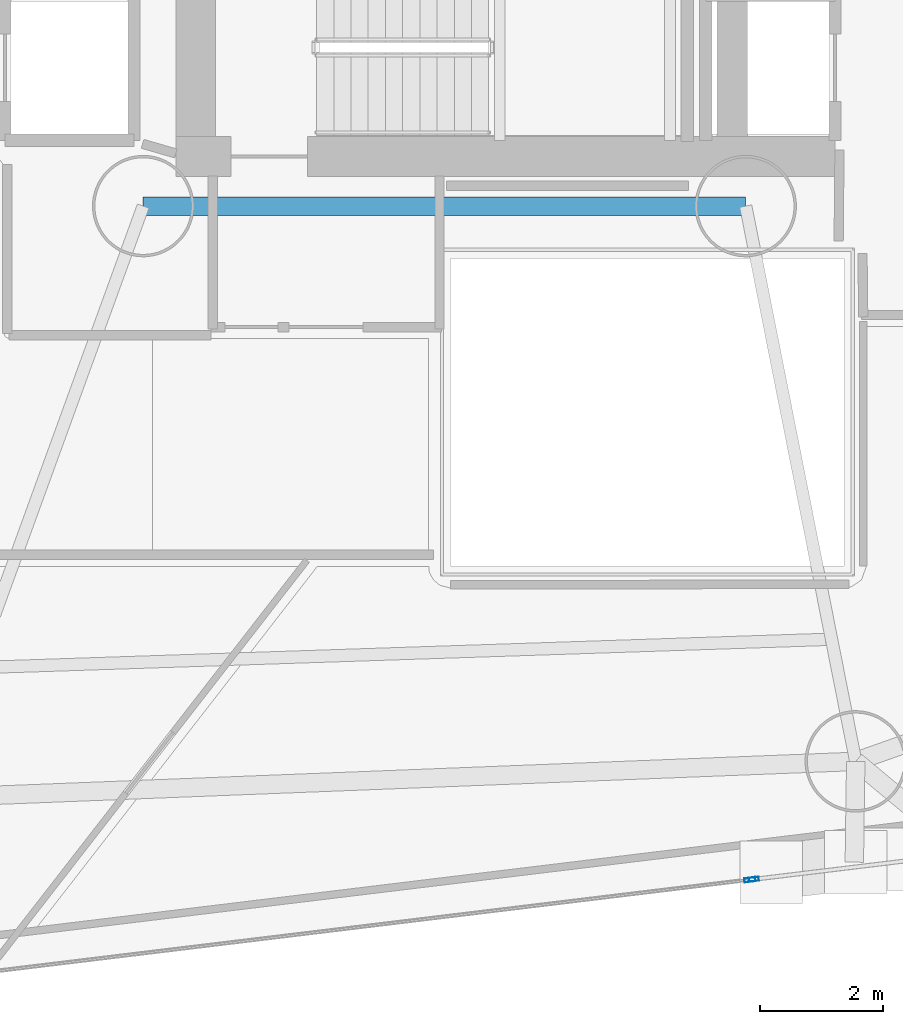
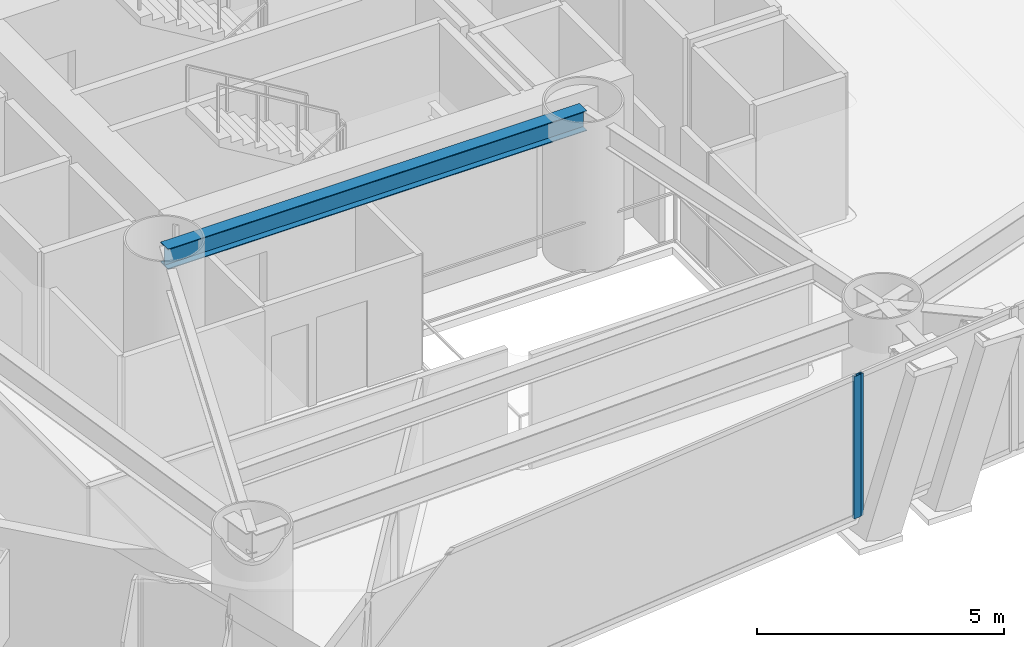
# One storey, part 5 of 24: 2 members, 1 beam, 2 elements without a shape of their own.
"""IFC4 building model written with IfcOpenShell, lengths in metres."""

import ifcopenshell
import ifcopenshell.guid

model = None  # the IFC model being written
_history = None  # IfcOwnerHistory: only IFC2X3 demands one
_inside = {}  # id of a spatial element -> (the spatial element, [elements in it])
_under = {}  # id of a project, library or spatial element -> (it, [spatial elements below it])
_declared = {}  # id of a project -> (the project, [libraries it declares])
_typed = {}  # id of a type object -> (the type object, [elements of that type])
_made_of = {}  # id of a material, layer set ... -> (it, [elements and type objects made of it])


def new_model(schema):
    """Start an empty IFC model of exactly this schema.

    Asked for "IFC4X3", IfcOpenShell would pick the latest addendum, in which some entities
    have other attributes; the version numbers below select the first issue.
    IFC2X3 requires an IfcOwnerHistory on every rooted entity: one is made here for all.
    """
    global model, _history
    if schema == "IFC4X3":
        model = ifcopenshell.file(schema_version=(4, 3, 0, 0))
    else:
        model = ifcopenshell.file(schema=schema)
    _inside.clear()
    _under.clear()
    _declared.clear()
    _typed.clear()
    _made_of.clear()
    _history = None
    if model.schema == "IFC2X3":
        org = make("IfcOrganization", Name="unknown")
        user = make(
            "IfcPersonAndOrganization",
            ThePerson=make("IfcPerson", FamilyName="unknown"),
            TheOrganization=org,
        )
        app = make(
            "IfcApplication",
            ApplicationDeveloper=org,
            Version="unknown",
            ApplicationFullName="unknown",
            ApplicationIdentifier="unknown",
        )
        _history = make(
            "IfcOwnerHistory",
            OwningUser=user,
            OwningApplication=app,
            ChangeAction="ADDED",
            CreationDate=0,
        )
    return model


def make(cls, **values):
    """One entity of the class cls with the attributes given. An attribute that is None is left unset."""
    return model.create_entity(
        cls, **{name: value for name, value in values.items() if value is not None}
    )


def rooted(cls, **values):
    """An entity with a GlobalId (a new one), such as an element, a storey or a relation."""
    return make(cls, GlobalId=ifcopenshell.guid.new(), OwnerHistory=_history, **values)


def si_unit(unit_type, name, prefix=None):
    """IfcSIUnit, for example si_unit("LENGTHUNIT", "METRE", prefix="MILLI")."""
    return make("IfcSIUnit", UnitType=unit_type, Prefix=prefix, Name=name)


def assignment(units):
    """IfcUnitAssignment: the units of a project."""
    return None if units is None else make("IfcUnitAssignment", Units=units)


def point(xyz):
    """IfcCartesianPoint."""
    return None if xyz is None else make("IfcCartesianPoint", Coordinates=xyz)


def direction(xyz):
    """IfcDirection."""
    return None if xyz is None else make("IfcDirection", DirectionRatios=xyz)


def frame(location, z_axis=None, x_axis=None):
    """IfcAxis2Placement3D, a coordinate frame: its origin and axes. An axis left out is left unset."""
    return make(
        "IfcAxis2Placement3D",
        Location=point(location),
        Axis=direction(z_axis),
        RefDirection=direction(x_axis),
    )


def frame_2d(location, x_axis=None):
    """IfcAxis2Placement2D, a coordinate frame in the plane: its origin and x axis."""
    return make(
        "IfcAxis2Placement2D", Location=point(location), RefDirection=direction(x_axis)
    )


def origin():
    """The frame at (0, 0, 0) with its axes left unset."""
    return frame((0.0, 0.0, 0.0))


def origin_2d():
    """The frame at (0, 0) in the plane with its x axis left unset."""
    return frame_2d((0.0, 0.0))


def place(relative_to, where):
    """IfcLocalPlacement: puts the frame where relative to a parent placement (None: the world)."""
    return make(
        "IfcLocalPlacement", PlacementRelTo=relative_to, RelativePlacement=where
    )


def context(
    kind, dimensions, precision=None, world=None, true_north=None, identifier=None
):
    """IfcGeometricRepresentationContext, for example the 3D "Model" context."""
    return make(
        "IfcGeometricRepresentationContext",
        ContextIdentifier=identifier,
        ContextType=kind,
        CoordinateSpaceDimension=dimensions,
        Precision=precision,
        WorldCoordinateSystem=world,
        TrueNorth=true_north,
    )


def subcontext(parent, identifier, kind, view, scale=None):
    """IfcGeometricRepresentationSubContext, for example "Body" below "Model"."""
    return make(
        "IfcGeometricRepresentationSubContext",
        ContextIdentifier=identifier,
        ContextType=kind,
        ParentContext=parent,
        TargetScale=scale,
        TargetView=view,
    )


def project(units=None, contexts=None):
    """IfcProject with its units and contexts."""
    return rooted(
        "IfcProject",
        Name="project",
        RepresentationContexts=contexts,
        UnitsInContext=assignment(units),
    )


def spatial(cls, under=None, at=None, **own):
    """A site, building, storey or space (cls), placed at a placement, below another one or the project."""
    s = rooted(cls, ObjectPlacement=at, **own)
    if under is not None:
        _under.setdefault(under.id(), (under, []))[1].append(s)
    return s


def profile(cls, at=None, kind="AREA", **sizes):
    """A parametric profile (cls). Its sizes go by their IFC names, for example OverallWidth=200.0."""
    return make(cls, ProfileType=kind, Position=at, **sizes)


def hollow_rectangle(**sizes):
    """IfcRectangleHollowProfileDef."""
    return profile("IfcRectangleHollowProfileDef", **sizes)


def i_section(**sizes):
    """IfcIShapeProfileDef."""
    return profile("IfcIShapeProfileDef", **sizes)


def extrude(swept, where, along, depth):
    """IfcExtrudedAreaSolid: the profile swept, set in the frame where, extruded along a direction by depth."""
    return make(
        "IfcExtrudedAreaSolid",
        SweptArea=swept,
        Position=where,
        ExtrudedDirection=direction(along),
        Depth=depth,
    )


def shape(context_of_items, identifier, shape_type, items):
    """IfcShapeRepresentation: the items that make up one representation, for example the "Body"."""
    return make(
        "IfcShapeRepresentation",
        ContextOfItems=context_of_items,
        RepresentationIdentifier=identifier,
        RepresentationType=shape_type,
        Items=items,
    )


def material(Name=None, Category=None):
    """IfcMaterial."""
    return make("IfcMaterial", Name=Name, Category=Category)


def layer(
    of_material, thickness, ventilated=None, Name=None, Category=None, Priority=None
):
    """IfcMaterialLayer: one layer of a wall or slab, of a material (None: an air gap)."""
    return make(
        "IfcMaterialLayer",
        Material=of_material,
        LayerThickness=thickness,
        IsVentilated=ventilated,
        Name=Name,
        Category=Category,
        Priority=Priority,
    )


def layer_set(layers, Name=None):
    """IfcMaterialLayerSet."""
    return make("IfcMaterialLayerSet", MaterialLayers=layers, LayerSetName=Name)


def material_profile(
    of_material, cross_section, Name=None, Category=None, Priority=None
):
    """IfcMaterialProfile: a cross section and its material."""
    return make(
        "IfcMaterialProfile",
        Name=Name,
        Material=of_material,
        Profile=cross_section,
        Priority=Priority,
        Category=Category,
    )


def profile_set(profiles, Name=None, composite=None):
    """IfcMaterialProfileSet."""
    return make(
        "IfcMaterialProfileSet",
        Name=Name,
        MaterialProfiles=profiles,
        CompositeProfile=composite,
    )


def made_of(thing, what):
    """Note that an element or type object is made of a material, layer set ...; save() writes the relation."""
    if what is not None:
        _made_of.setdefault(what.id(), (what, []))[1].append(thing)
    return thing


def type_object(cls, material=None, **own):
    """A type object (cls), such as IfcWallType, which elements share."""
    return made_of(rooted(cls, **own), material)


def element(
    cls,
    number,
    at=None,
    inside=None,
    cuts=None,
    type_object=None,
    material=None,
    context=None,
    identifier="Body",
    shape_type=None,
    held_by="IfcProductDefinitionShape",
    body=None,
    shapes=None,
    **own,
):
    """One element of the class cls, such as IfcWall. Its Tag is "e" and its number.

    at: its placement. inside: the storey or other place that contains it. cuts: it is an
    opening in that element (IfcRelVoidsElement). A single representation is given by context,
    identifier, shape_type and body (its items); several are given by shapes. held_by: the class
    of the entity that holds the representations. save() writes the other relations.
    """
    e = rooted(cls, Tag="e%d" % number, ObjectPlacement=at, **own)
    if body is not None:
        shapes = [shape(context, identifier, shape_type, body)]
    if shapes is not None:
        e.Representation = make(held_by, Representations=shapes)
    if inside is not None:
        _inside.setdefault(inside.id(), (inside, []))[1].append(e)
    if cuts is not None:
        rooted(
            "IfcRelVoidsElement", RelatingBuildingElement=cuts, RelatedOpeningElement=e
        )
    if type_object is not None:
        _typed.setdefault(type_object.id(), (type_object, []))[1].append(e)
    return made_of(e, material)


def aggregate(whole, parts):
    """IfcRelAggregates: a whole, such as a stair, and the parts it consists of."""
    return rooted("IfcRelAggregates", RelatingObject=whole, RelatedObjects=parts)


def save(model, path):
    """Write the relations noted so far, then the file.

    IfcRelAggregates (storeys below a building ...), IfcRelContainedInSpatialStructure (elements
    in a storey), IfcRelDefinesByType, IfcRelAssociatesMaterial and IfcRelDeclares: one each for
    every whole, place, type object, material and project.
    """
    for whole, parts in _under.values():
        aggregate(whole, parts)
    for where, things in _inside.values():
        rooted(
            "IfcRelContainedInSpatialStructure",
            RelatedElements=things,
            RelatingStructure=where,
        )
    for kind, things in _typed.values():
        rooted("IfcRelDefinesByType", RelatedObjects=things, RelatingType=kind)
    for what, things in _made_of.values():
        rooted("IfcRelAssociatesMaterial", RelatedObjects=things, RelatingMaterial=what)
    for by, libraries in _declared.values():
        rooted("IfcRelDeclares", RelatingContext=by, RelatedDefinitions=libraries)
    model.write(path)


model = new_model("IFC4")

# Units and contexts
model_context = context("Model", 3, precision=1e-05, world=origin(), true_north=direction((0.0, 1.0)))
body_context = subcontext(model_context, "Body", "Model", "MODEL_VIEW")
ifc_project = project(units=[si_unit("LENGTHUNIT", "METRE"), si_unit("AREAUNIT", "SQUARE_METRE"), si_unit("VOLUMEUNIT", "CUBIC_METRE"), si_unit("PLANEANGLEUNIT", "RADIAN"), si_unit("MASSUNIT", "GRAM", prefix="KILO")], contexts=[model_context])

# Site, building, storey
site_placement = place(None, origin())
site = spatial("IfcSite", under=ifc_project, at=site_placement, CompositionType="ELEMENT")
building_placement = place(site_placement, origin())
building = spatial("IfcBuilding", under=site, at=building_placement, Name="Qianvela Tower", CompositionType="ELEMENT")
storey_placement = place(building_placement, frame((0.0, 0.0, 71.0)))
storey = spatial("IfcBuildingStorey", under=building, at=storey_placement, Name="L17", CompositionType="ELEMENT", Elevation=71.0)

# Beam
ifc_material_1 = material(Name="Steel Q355B", Category="steel")
ifc_material_profile_1 = material_profile(ifc_material_1, i_section(OverallWidth=0.300048828125, OverallDepth=0.5, WebThickness=0.010986328125, FlangeThickness=0.01806640625, at=origin_2d()), Name="HM500x300x11x18")
ifc_profile_set_1 = profile_set([ifc_material_profile_1], Name="Steel Q355B")
beam_type = type_object("IfcBeamType", Name="BM-HM500-COLL", PredefinedType="BEAM", material=ifc_profile_set_1)
beam_placement = place(storey_placement, frame((28.60009765625, 23.85009765625, 3.26806640625), z_axis=(1.0, 0.0, 0.0), x_axis=(0.0, 1.0, 0.0)))
element("IfcBeam", 1, at=beam_placement, inside=storey, type_object=beam_type, Name="L17 Core Ring Collector Girder CC1", PredefinedType="BEAM", context=body_context, shape_type="SweptSolid", body=[
    extrude(i_section(OverallWidth=0.300048828125, OverallDepth=0.5, WebThickness=0.010986328125, FlangeThickness=0.01806640625, at=origin_2d()), origin(), (0.0, 0.0, 1.0), 9.7998046875),
])

# Curtain wall, member
ifc_material_2 = material(Name="Anodised Architectural Aluminium and Insulated Spandrel Panel", Category="aluminium")
ifc_layer_1 = layer(ifc_material_2, 0.179931640625)
ifc_layer_set_1 = layer_set([ifc_layer_1], Name="Anodised Architectural Aluminium and Insulated Spandrel Panel")
curtain_wall_type_1 = type_object("IfcCurtainWallType", Name="CW-BRACEBAY", PredefinedType="USERDEFINED", material=ifc_layer_set_1)
curtain_wall_1_placement = place(storey_placement, origin())
curtain_wall_1 = element("IfcCurtainWall", 2, at=curtain_wall_1_placement, inside=storey, type_object=curtain_wall_type_1, Name="L17 CW-BRACEBAY Curtain Wall 06B", ObjectType="CURTAIN_WALL_SYSTEM", PredefinedType="USERDEFINED")
ifc_material_3 = material(Name="Anodised Architectural Aluminium 6063-T6", Category="aluminium")
ifc_material_profile_2 = material_profile(ifc_material_3, hollow_rectangle(XDim=0.06494140625, YDim=0.159912109375, WallThickness=0.0048828125, at=origin_2d()), Name="ALU-MULL-65x160")
ifc_profile_set_2 = profile_set([ifc_material_profile_2], Name="Anodised Architectural Aluminium 6063-T6")
member_type_1 = type_object("IfcMemberType", Name="CW-BRACEBAY-MULL", PredefinedType="MULLION", material=ifc_profile_set_2)
member_1_placement = place(storey_placement, frame((38.5341796875, 12.9013671875, 0.0), z_axis=(0.0, 0.0, 1.0), x_axis=(-0.120382410751, 0.992727593644, 0.0)))
member_1 = element("IfcMember", 3, at=member_1_placement, type_object=member_type_1, Name="CW-9 mullion 1", PredefinedType="MULLION", context=body_context, shape_type="SweptSolid", body=[
    extrude(hollow_rectangle(XDim=0.06494140625, YDim=0.159912109375, WallThickness=0.0048828125, at=origin_2d()), origin(), (0.0, 0.0, 1.0), 3.52001953125),
])
aggregate(curtain_wall_1, [member_1])

ifc_material_4 = material(Name="Anodised Architectural Aluminium and Low-E Glass", Category="aluminium")
ifc_layer_2 = layer(ifc_material_4, 0.179931640625)
ifc_layer_set_2 = layer_set([ifc_layer_2], Name="Anodised Architectural Aluminium and Low-E Glass")
curtain_wall_type_2 = type_object("IfcCurtainWallType", Name="CW-COLIV-Z12", PredefinedType="USERDEFINED", material=ifc_layer_set_2)
curtain_wall_2_placement = place(storey_placement, origin())
curtain_wall_2 = element("IfcCurtainWall", 4, at=curtain_wall_2_placement, inside=storey, type_object=curtain_wall_type_2, Name="L17 CW-COLIV-Z12 Curtain Wall 06A", ObjectType="CURTAIN_WALL_SYSTEM", PredefinedType="USERDEFINED")
ifc_material_5 = material(Name="Anodised Architectural Aluminium 6063-T6", Category="aluminium")
ifc_material_profile_3 = material_profile(ifc_material_5, hollow_rectangle(XDim=0.070068359375, YDim=0.179931640625, WallThickness=0.0048828125, at=origin_2d()), Name="ALU-MULL-70x180")
ifc_profile_set_3 = profile_set([ifc_material_profile_3], Name="Anodised Architectural Aluminium 6063-T6")
member_type_2 = type_object("IfcMemberType", Name="CW-COLIV-Z12-MULL", PredefinedType="MULLION", material=ifc_profile_set_3)
member_2_placement = place(storey_placement, frame((38.467041015625, 12.893310546875, 0.0), z_axis=(0.0, 0.0, 1.0), x_axis=(-0.120359920925, 0.992730320598, 0.0)))
member_2 = element("IfcMember", 5, at=member_2_placement, type_object=member_type_2, Name="CW-3 mullion 2", PredefinedType="MULLION", context=body_context, shape_type="SweptSolid", body=[
    extrude(hollow_rectangle(XDim=0.070068359375, YDim=0.179931640625, WallThickness=0.0048828125, at=origin_2d()), origin(), (0.0, 0.0, 1.0), 3.52001953125),
])
aggregate(curtain_wall_2, [member_2])

save(model, "model.ifc")
